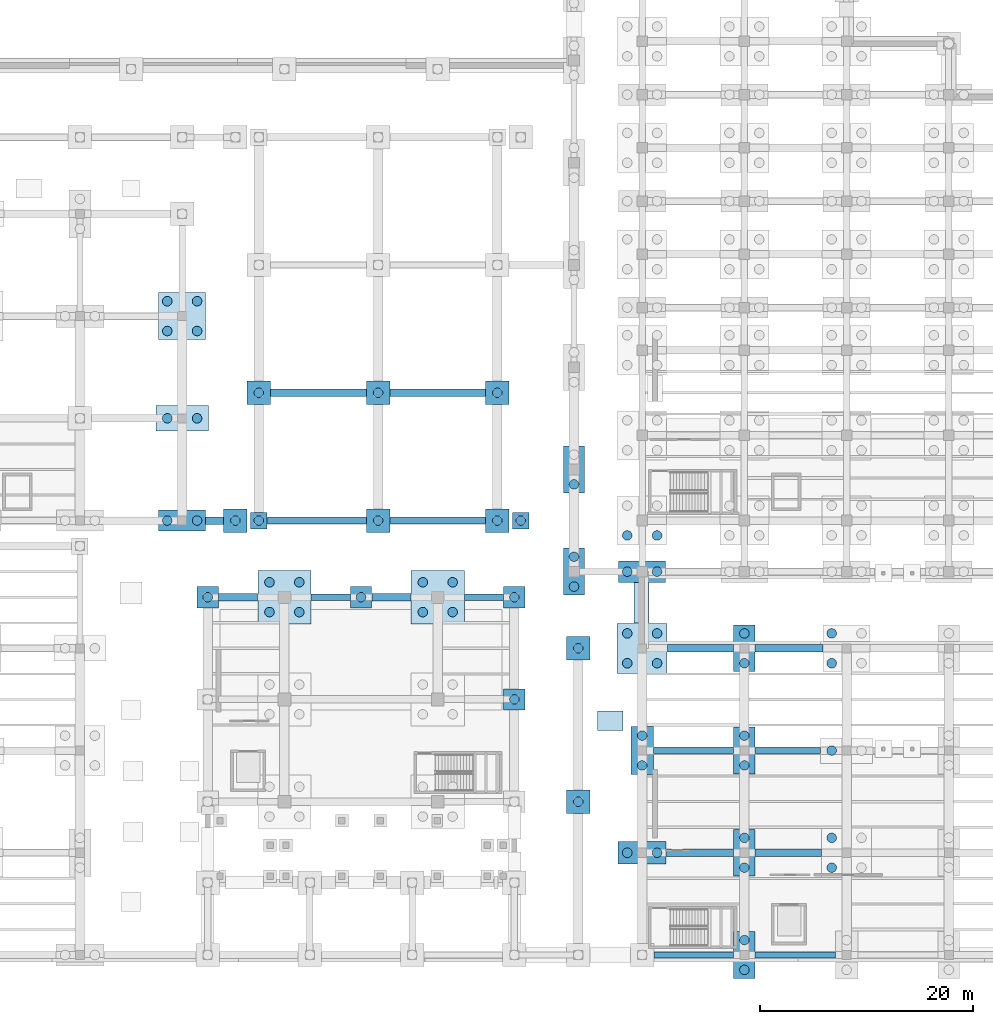
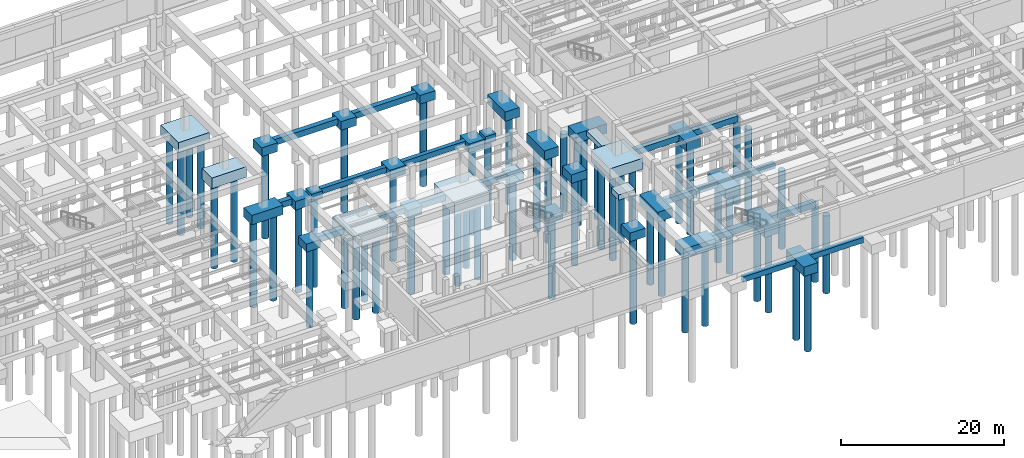
# One storey, part 4 of 56: 58 piles, 48 footings.
"""IFC4 building model written with IfcOpenShell, lengths in metres."""

import ifcopenshell
import ifcopenshell.guid

model = None  # the IFC model being written
_history = None  # IfcOwnerHistory: only IFC2X3 demands one
_inside = {}  # id of a spatial element -> (the spatial element, [elements in it])
_under = {}  # id of a project, library or spatial element -> (it, [spatial elements below it])
_declared = {}  # id of a project -> (the project, [libraries it declares])
_typed = {}  # id of a type object -> (the type object, [elements of that type])
_made_of = {}  # id of a material, layer set ... -> (it, [elements and type objects made of it])


def new_model(schema):
    """Start an empty IFC model of exactly this schema.

    Asked for "IFC4X3", IfcOpenShell would pick the latest addendum, in which some entities
    have other attributes; the version numbers below select the first issue.
    IFC2X3 requires an IfcOwnerHistory on every rooted entity: one is made here for all.
    """
    global model, _history
    if schema == "IFC4X3":
        model = ifcopenshell.file(schema_version=(4, 3, 0, 0))
    else:
        model = ifcopenshell.file(schema=schema)
    _inside.clear()
    _under.clear()
    _declared.clear()
    _typed.clear()
    _made_of.clear()
    _history = None
    if model.schema == "IFC2X3":
        org = make("IfcOrganization", Name="unknown")
        user = make(
            "IfcPersonAndOrganization",
            ThePerson=make("IfcPerson", FamilyName="unknown"),
            TheOrganization=org,
        )
        app = make(
            "IfcApplication",
            ApplicationDeveloper=org,
            Version="unknown",
            ApplicationFullName="unknown",
            ApplicationIdentifier="unknown",
        )
        _history = make(
            "IfcOwnerHistory",
            OwningUser=user,
            OwningApplication=app,
            ChangeAction="ADDED",
            CreationDate=0,
        )
    return model


def make(cls, **values):
    """One entity of the class cls with the attributes given. An attribute that is None is left unset."""
    return model.create_entity(
        cls, **{name: value for name, value in values.items() if value is not None}
    )


def rooted(cls, **values):
    """An entity with a GlobalId (a new one), such as an element, a storey or a relation."""
    return make(cls, GlobalId=ifcopenshell.guid.new(), OwnerHistory=_history, **values)


def si_unit(unit_type, name, prefix=None):
    """IfcSIUnit, for example si_unit("LENGTHUNIT", "METRE", prefix="MILLI")."""
    return make("IfcSIUnit", UnitType=unit_type, Prefix=prefix, Name=name)


def assignment(units):
    """IfcUnitAssignment: the units of a project."""
    return None if units is None else make("IfcUnitAssignment", Units=units)


def point(xyz):
    """IfcCartesianPoint."""
    return None if xyz is None else make("IfcCartesianPoint", Coordinates=xyz)


def direction(xyz):
    """IfcDirection."""
    return None if xyz is None else make("IfcDirection", DirectionRatios=xyz)


def frame(location, z_axis=None, x_axis=None):
    """IfcAxis2Placement3D, a coordinate frame: its origin and axes. An axis left out is left unset."""
    return make(
        "IfcAxis2Placement3D",
        Location=point(location),
        Axis=direction(z_axis),
        RefDirection=direction(x_axis),
    )


def frame_2d(location, x_axis=None):
    """IfcAxis2Placement2D, a coordinate frame in the plane: its origin and x axis."""
    return make(
        "IfcAxis2Placement2D", Location=point(location), RefDirection=direction(x_axis)
    )


def origin():
    """The frame at (0, 0, 0) with its axes left unset."""
    return frame((0.0, 0.0, 0.0))


def origin_2d():
    """The frame at (0, 0) in the plane with its x axis left unset."""
    return frame_2d((0.0, 0.0))


def place(relative_to, where):
    """IfcLocalPlacement: puts the frame where relative to a parent placement (None: the world)."""
    return make(
        "IfcLocalPlacement", PlacementRelTo=relative_to, RelativePlacement=where
    )


def context(
    kind, dimensions, precision=None, world=None, true_north=None, identifier=None
):
    """IfcGeometricRepresentationContext, for example the 3D "Model" context."""
    return make(
        "IfcGeometricRepresentationContext",
        ContextIdentifier=identifier,
        ContextType=kind,
        CoordinateSpaceDimension=dimensions,
        Precision=precision,
        WorldCoordinateSystem=world,
        TrueNorth=true_north,
    )


def subcontext(parent, identifier, kind, view, scale=None):
    """IfcGeometricRepresentationSubContext, for example "Body" below "Model"."""
    return make(
        "IfcGeometricRepresentationSubContext",
        ContextIdentifier=identifier,
        ContextType=kind,
        ParentContext=parent,
        TargetScale=scale,
        TargetView=view,
    )


def project(units=None, contexts=None):
    """IfcProject with its units and contexts."""
    return rooted(
        "IfcProject",
        Name="project",
        RepresentationContexts=contexts,
        UnitsInContext=assignment(units),
    )


def spatial(cls, under=None, at=None, **own):
    """A site, building, storey or space (cls), placed at a placement, below another one or the project."""
    s = rooted(cls, ObjectPlacement=at, **own)
    if under is not None:
        _under.setdefault(under.id(), (under, []))[1].append(s)
    return s


def profile(cls, at=None, kind="AREA", **sizes):
    """A parametric profile (cls). Its sizes go by their IFC names, for example OverallWidth=200.0."""
    return make(cls, ProfileType=kind, Position=at, **sizes)


def rectangle(**sizes):
    """IfcRectangleProfileDef."""
    return profile("IfcRectangleProfileDef", **sizes)


def circle(**sizes):
    """IfcCircleProfileDef."""
    return profile("IfcCircleProfileDef", **sizes)


def extrude(swept, where, along, depth):
    """IfcExtrudedAreaSolid: the profile swept, set in the frame where, extruded along a direction by depth."""
    return make(
        "IfcExtrudedAreaSolid",
        SweptArea=swept,
        Position=where,
        ExtrudedDirection=direction(along),
        Depth=depth,
    )


def shape(context_of_items, identifier, shape_type, items):
    """IfcShapeRepresentation: the items that make up one representation, for example the "Body"."""
    return make(
        "IfcShapeRepresentation",
        ContextOfItems=context_of_items,
        RepresentationIdentifier=identifier,
        RepresentationType=shape_type,
        Items=items,
    )


def material(Name=None, Category=None):
    """IfcMaterial."""
    return make("IfcMaterial", Name=Name, Category=Category)


def material_profile(
    of_material, cross_section, Name=None, Category=None, Priority=None
):
    """IfcMaterialProfile: a cross section and its material."""
    return make(
        "IfcMaterialProfile",
        Name=Name,
        Material=of_material,
        Profile=cross_section,
        Priority=Priority,
        Category=Category,
    )


def profile_set(profiles, Name=None, composite=None):
    """IfcMaterialProfileSet."""
    return make(
        "IfcMaterialProfileSet",
        Name=Name,
        MaterialProfiles=profiles,
        CompositeProfile=composite,
    )


def made_of(thing, what):
    """Note that an element or type object is made of a material, layer set ...; save() writes the relation."""
    if what is not None:
        _made_of.setdefault(what.id(), (what, []))[1].append(thing)
    return thing


def type_object(cls, material=None, **own):
    """A type object (cls), such as IfcWallType, which elements share."""
    return made_of(rooted(cls, **own), material)


def element(
    cls,
    number,
    at=None,
    inside=None,
    cuts=None,
    type_object=None,
    material=None,
    context=None,
    identifier="Body",
    shape_type=None,
    held_by="IfcProductDefinitionShape",
    body=None,
    shapes=None,
    **own,
):
    """One element of the class cls, such as IfcWall. Its Tag is "e" and its number.

    at: its placement. inside: the storey or other place that contains it. cuts: it is an
    opening in that element (IfcRelVoidsElement). A single representation is given by context,
    identifier, shape_type and body (its items); several are given by shapes. held_by: the class
    of the entity that holds the representations. save() writes the other relations.
    """
    e = rooted(cls, Tag="e%d" % number, ObjectPlacement=at, **own)
    if body is not None:
        shapes = [shape(context, identifier, shape_type, body)]
    if shapes is not None:
        e.Representation = make(held_by, Representations=shapes)
    if inside is not None:
        _inside.setdefault(inside.id(), (inside, []))[1].append(e)
    if cuts is not None:
        rooted(
            "IfcRelVoidsElement", RelatingBuildingElement=cuts, RelatedOpeningElement=e
        )
    if type_object is not None:
        _typed.setdefault(type_object.id(), (type_object, []))[1].append(e)
    return made_of(e, material)


def aggregate(whole, parts):
    """IfcRelAggregates: a whole, such as a stair, and the parts it consists of."""
    return rooted("IfcRelAggregates", RelatingObject=whole, RelatedObjects=parts)


def save(model, path):
    """Write the relations noted so far, then the file.

    IfcRelAggregates (storeys below a building ...), IfcRelContainedInSpatialStructure (elements
    in a storey), IfcRelDefinesByType, IfcRelAssociatesMaterial and IfcRelDeclares: one each for
    every whole, place, type object, material and project.
    """
    for whole, parts in _under.values():
        aggregate(whole, parts)
    for where, things in _inside.values():
        rooted(
            "IfcRelContainedInSpatialStructure",
            RelatedElements=things,
            RelatingStructure=where,
        )
    for kind, things in _typed.values():
        rooted("IfcRelDefinesByType", RelatedObjects=things, RelatingType=kind)
    for what, things in _made_of.values():
        rooted("IfcRelAssociatesMaterial", RelatedObjects=things, RelatingMaterial=what)
    for by, libraries in _declared.values():
        rooted("IfcRelDeclares", RelatingContext=by, RelatedDefinitions=libraries)
    model.write(path)


model = new_model("IFC4")

# Units and contexts
model_context = context("Model", 3, precision=1e-05, world=origin(), true_north=direction((0.0, 1.0)))
body_context = subcontext(model_context, "Body", "Model", "MODEL_VIEW")
ifc_project = project(units=[si_unit("LENGTHUNIT", "METRE"), si_unit("AREAUNIT", "SQUARE_METRE"), si_unit("VOLUMEUNIT", "CUBIC_METRE"), si_unit("PLANEANGLEUNIT", "RADIAN"), si_unit("MASSUNIT", "GRAM", prefix="KILO")], contexts=[model_context])

# Site, building, storey
site_placement = place(None, origin())
site = spatial("IfcSite", under=ifc_project, at=site_placement, CompositionType="ELEMENT")
building_placement = place(site_placement, origin())
building = spatial("IfcBuilding", under=site, at=building_placement, Name="Mavantir Sound Aquarium", CompositionType="ELEMENT")
storey_placement = place(building_placement, frame((0.0, 0.0, -9.60009765625)))
storey = spatial("IfcBuildingStorey", under=building, at=storey_placement, Name="B2", CompositionType="ELEMENT", Elevation=-9.60009765625)

# Footings
ifc_material_1 = material(Name="Concrete C40/50", Category="concrete")
ifc_material_profile_1 = material_profile(ifc_material_1, rectangle(XDim=0.60009765625, YDim=0.800048828125, at=origin_2d()), Name="RC 600X800")
ifc_profile_set_1 = profile_set([ifc_material_profile_1], Name="Concrete C40/50")
footing_type_1 = type_object("IfcFootingType", Name="FB-01", PredefinedType="FOOTING_BEAM", material=ifc_profile_set_1)
footing_1_placement = place(storey_placement, frame((72.782958984375, 40.800048828125, -0.39990234375), z_axis=(1.0, 0.0, 0.0), x_axis=(0.0, 1.0, 0.0)))
element("IfcFooting", 1, at=footing_1_placement, inside=storey, type_object=footing_type_1, Name="Foundation tie beam FB-01 63", PredefinedType="FOOTING_BEAM", context=body_context, shape_type="SweptSolid", body=[
    extrude(rectangle(XDim=0.60009765625, YDim=0.800048828125, at=origin_2d()), origin(), (0.0, 0.0, 1.0), 9.317138671875),
])
footing_2_placement = place(storey_placement, frame((76.907958984375, 33.60009765625, -1.599853515625), z_axis=(1.0, 0.0, 0.0), x_axis=(0.0, 1.0, 0.0)))
element("IfcFooting", 2, at=footing_2_placement, inside=storey, type_object=footing_type_1, Name="Foundation tie beam FB-01 67", PredefinedType="FOOTING_BEAM", context=body_context, shape_type="SweptSolid", body=[
    extrude(rectangle(XDim=0.60009765625, YDim=0.800048828125, at=origin_2d()), origin(), (0.0, 0.0, 1.0), 3.68408203125),
])
footing_3_placement = place(storey_placement, frame((84.30810546875, 40.800048828125, -0.39990234375), z_axis=(1.0, 0.0, 0.0), x_axis=(0.0, 1.0, 0.0)))
element("IfcFooting", 3, at=footing_3_placement, inside=storey, type_object=footing_type_1, Name="Foundation tie beam FB-01 71", PredefinedType="FOOTING_BEAM", context=body_context, shape_type="SweptSolid", body=[
    extrude(rectangle(XDim=0.60009765625, YDim=0.800048828125, at=origin_2d()), origin(), (0.0, 0.0, 1.0), 8.991943359375),
])
footing_4_placement = place(storey_placement, frame((91.30810546875, 33.60009765625, -1.599853515625), z_axis=(1.0, 0.0, 0.0), x_axis=(0.0, 1.0, 0.0)))
element("IfcFooting", 4, at=footing_4_placement, inside=storey, type_object=footing_type_1, Name="Foundation tie beam FB-01 79", PredefinedType="FOOTING_BEAM", context=body_context, shape_type="SweptSolid", body=[
    extrude(rectangle(XDim=0.60009765625, YDim=0.800048828125, at=origin_2d()), origin(), (0.0, 0.0, 1.0), 3.683837890625),
])
footing_5_placement = place(storey_placement, frame((109.10791015625, 0.0, -1.599853515625), z_axis=(1.0, 0.0, 0.0), x_axis=(0.0, 1.0, 0.0)))
element("IfcFooting", 5, at=footing_5_placement, inside=storey, type_object=footing_type_1, Name="Foundation tie beam FB-01 81", PredefinedType="FOOTING_BEAM", context=body_context, shape_type="SweptSolid", body=[
    extrude(rectangle(XDim=0.60009765625, YDim=0.800048828125, at=origin_2d()), origin(), (0.0, 0.0, 1.0), 7.484130859375),
])
footing_6_placement = place(storey_placement, frame((109.05810546875, 19.199951171875, -1.599853515625), z_axis=(1.0, 0.0, 0.0), x_axis=(0.0, 1.0, 0.0)))
element("IfcFooting", 6, at=footing_6_placement, inside=storey, type_object=footing_type_1, Name="Foundation tie beam FB-01 83", PredefinedType="FOOTING_BEAM", context=body_context, shape_type="SweptSolid", body=[
    extrude(rectangle(XDim=0.60009765625, YDim=0.800048828125, at=origin_2d()), origin(), (0.0, 0.0, 1.0), 7.533935546875),
])
footing_7_placement = place(storey_placement, frame((118.60791015625, 0.0, -1.599853515625), z_axis=(1.0, 0.0, 0.0), x_axis=(0.0, 1.0, 0.0)))
element("IfcFooting", 7, at=footing_7_placement, inside=storey, type_object=footing_type_1, Name="Foundation tie beam FB-01 97", PredefinedType="FOOTING_BEAM", context=body_context, shape_type="SweptSolid", body=[
    extrude(rectangle(XDim=0.60009765625, YDim=0.800048828125, at=origin_2d()), origin(), (0.0, 0.0, 1.0), 7.5341796875),
])
footing_8_placement = place(storey_placement, frame((118.60791015625, 19.199951171875, -1.599853515625), z_axis=(1.0, 0.0, 0.0), x_axis=(0.0, 1.0, 0.0)))
element("IfcFooting", 8, at=footing_8_placement, inside=storey, type_object=footing_type_1, Name="Foundation tie beam FB-01 99", PredefinedType="FOOTING_BEAM", context=body_context, shape_type="SweptSolid", body=[
    extrude(rectangle(XDim=0.60009765625, YDim=0.800048828125, at=origin_2d()), origin(), (0.0, 0.0, 1.0), 6.134033203125),
])
ifc_material_profile_2 = material_profile(ifc_material_1, rectangle(XDim=0.699951171875, YDim=0.89990234375, at=origin_2d()), Name="RC 700X900")
ifc_profile_set_2 = profile_set([ifc_material_profile_2], Name="Concrete C40/50")
footing_type_2 = type_object("IfcFootingType", Name="FB-02", PredefinedType="FOOTING_BEAM", material=ifc_profile_set_2)
footing_9_placement = place(storey_placement, frame((67.008056640625, 40.800048828125, -0.449951171875), z_axis=(1.0, 0.0, 0.0), x_axis=(0.0, 1.0, 0.0)))
element("IfcFooting", 9, at=footing_9_placement, inside=storey, type_object=footing_type_2, Name="Foundation tie beam FB-02 56", PredefinedType="FOOTING_BEAM", context=body_context, shape_type="SweptSolid", body=[
    extrude(rectangle(XDim=0.699951171875, YDim=0.89990234375, at=origin_2d()), origin(), (0.0, 0.0, 1.0), 1.683837890625),
])
footing_10_placement = place(storey_placement, frame((68.2080078125, 33.60009765625, -1.64990234375), z_axis=(1.0, 0.0, 0.0), x_axis=(0.0, 1.0, 0.0)))
element("IfcFooting", 10, at=footing_10_placement, inside=storey, type_object=footing_type_2, Name="Foundation tie beam FB-02 62", PredefinedType="FOOTING_BEAM", context=body_context, shape_type="SweptSolid", body=[
    extrude(rectangle(XDim=0.699951171875, YDim=0.89990234375, at=origin_2d()), origin(), (0.0, 0.0, 1.0), 3.68408203125),
])
footing_11_placement = place(storey_placement, frame((73.10791015625, 52.800048828125, -0.449951171875), z_axis=(1.0, 0.0, 0.0), x_axis=(0.0, 1.0, 0.0)))
element("IfcFooting", 11, at=footing_11_placement, inside=storey, type_object=footing_type_2, Name="Foundation tie beam FB-02 64", PredefinedType="FOOTING_BEAM", context=body_context, shape_type="SweptSolid", body=[
    extrude(rectangle(XDim=0.699951171875, YDim=0.89990234375, at=origin_2d()), origin(), (0.0, 0.0, 1.0), 8.9921875),
])
footing_12_placement = place(storey_placement, frame((82.60791015625, 33.60009765625, -1.64990234375), z_axis=(1.0, 0.0, 0.0), x_axis=(0.0, 1.0, 0.0)))
element("IfcFooting", 12, at=footing_12_placement, inside=storey, type_object=footing_type_2, Name="Foundation tie beam FB-02 70", PredefinedType="FOOTING_BEAM", context=body_context, shape_type="SweptSolid", body=[
    extrude(rectangle(XDim=0.699951171875, YDim=0.89990234375, at=origin_2d()), origin(), (0.0, 0.0, 1.0), 3.68408203125),
])
footing_13_placement = place(storey_placement, frame((84.30810546875, 52.800048828125, -0.449951171875), z_axis=(1.0, 0.0, 0.0), x_axis=(0.0, 1.0, 0.0)))
element("IfcFooting", 13, at=footing_13_placement, inside=storey, type_object=footing_type_2, Name="Foundation tie beam FB-02 72", PredefinedType="FOOTING_BEAM", context=body_context, shape_type="SweptSolid", body=[
    extrude(rectangle(XDim=0.699951171875, YDim=0.89990234375, at=origin_2d()), origin(), (0.0, 0.0, 1.0), 8.991943359375),
])
footing_14_placement = place(storey_placement, frame((110.258056640625, 9.60009765625, -1.64990234375), z_axis=(1.0, 0.0, 0.0), x_axis=(0.0, 1.0, 0.0)))
element("IfcFooting", 14, at=footing_14_placement, inside=storey, type_object=footing_type_2, Name="Foundation tie beam FB-02 82", PredefinedType="FOOTING_BEAM", context=body_context, shape_type="SweptSolid", body=[
    extrude(rectangle(XDim=0.699951171875, YDim=0.89990234375, at=origin_2d()), origin(), (0.0, 0.0, 1.0), 6.333984375),
])
footing_15_placement = place(storey_placement, frame((110.35791015625, 28.800048828125, -0.449951171875), z_axis=(1.0, 0.0, 0.0), x_axis=(0.0, 1.0, 0.0)))
element("IfcFooting", 15, at=footing_15_placement, inside=storey, type_object=footing_type_2, Name="Foundation tie beam FB-02 84", PredefinedType="FOOTING_BEAM", context=body_context, shape_type="SweptSolid", body=[
    extrude(rectangle(XDim=0.699951171875, YDim=0.89990234375, at=origin_2d()), origin(), (0.0, 0.0, 1.0), 6.234130859375),
])
footing_16_placement = place(storey_placement, frame((118.60791015625, 9.60009765625, -1.64990234375), z_axis=(1.0, 0.0, 0.0), x_axis=(0.0, 1.0, 0.0)))
element("IfcFooting", 16, at=footing_16_placement, inside=storey, type_object=footing_type_2, Name="Foundation tie beam FB-02 98", PredefinedType="FOOTING_BEAM", context=body_context, shape_type="SweptSolid", body=[
    extrude(rectangle(XDim=0.699951171875, YDim=0.89990234375, at=origin_2d()), origin(), (0.0, 0.0, 1.0), 6.2421875),
])
footing_17_placement = place(storey_placement, frame((118.60791015625, 28.800048828125, -0.449951171875), z_axis=(1.0, 0.0, 0.0), x_axis=(0.0, 1.0, 0.0)))
element("IfcFooting", 17, at=footing_17_placement, inside=storey, type_object=footing_type_2, Name="Foundation tie beam FB-02 100", PredefinedType="FOOTING_BEAM", context=body_context, shape_type="SweptSolid", body=[
    extrude(rectangle(XDim=0.699951171875, YDim=0.89990234375, at=origin_2d()), origin(), (0.0, 0.0, 1.0), 6.384033203125),
])
footing_type_3 = type_object("IfcFootingType", Name="PC-02", PredefinedType="PILE_CAP", material=ifc_material_1)
footing_18_placement = place(storey_placement, frame((64.800048828125, 60.0, -1.5), z_axis=(0.0, 0.0, 1.0), x_axis=(1.0, 0.0, 0.0)))
element("IfcFooting", 18, at=footing_18_placement, inside=storey, type_object=footing_type_3, Name="Pile cap PC-02 15", PredefinedType="PILE_CAP", context=body_context, shape_type="SweptSolid", body=[
    extrude(rectangle(XDim=4.39990234375, YDim=4.39990234375, at=origin_2d()), origin(), (0.0, 0.0, 1.0), 1.5),
])
footing_type_4 = type_object("IfcFootingType", Name="PC-03", PredefinedType="PILE_CAP", material=ifc_material_1)
for number, where, z_axis, x_axis, name in (
    (19, (64.800048828125, 40.800048828125, -1.39990234375), (0.0, 0.0, 1.0), (1.0, 0.0, 0.0), "Pile cap PC-03 13"),
    (20, (108.0, 36.0, -1.39990234375), (0.0, 0.0, 1.0), (1.0, 0.0, 0.0), "Pile cap PC-03 58"),
):
    element("IfcFooting", number, at=place(storey_placement, frame(where, z_axis=z_axis, x_axis=x_axis)), inside=storey, type_object=footing_type_4, Name=name, PredefinedType="PILE_CAP", context=body_context, shape_type="SweptSolid", body=[
        extrude(rectangle(XDim=4.39990234375, YDim=2.0, at=origin_2d()), origin(), (0.0, 0.0, 1.0), 1.39990234375),
    ])
footing_type_5 = type_object("IfcFootingType", Name="PC-04", PredefinedType="PILE_CAP", material=ifc_material_1)
for number, where, z_axis, x_axis, name in (
    (21, (101.60009765625, 36.0, -1.39990234375), (0.0, 0.0, 1.0), (1.0, 0.0, 0.0), "Pile cap PC-04 50"),
    (22, (101.60009765625, 45.60009765625, -1.39990234375), (0.0, 0.0, 1.0), (1.0, 0.0, 0.0), "Pile cap PC-04 51"),
    (23, (117.60009765625, 0.0, -2.599853515625), (0.0, 0.0, 1.0), (1.0, 0.0, 0.0), "Pile cap PC-04 162"),
    (24, (117.60009765625, 9.60009765625, -2.599853515625), (0.0, 0.0, 1.0), (1.0, 0.0, 0.0), "Pile cap PC-04 163"),
    (25, (117.60009765625, 19.199951171875, -2.599853515625), (0.0, 0.0, 1.0), (1.0, 0.0, 0.0), "Pile cap PC-04 164"),
    (26, (117.60009765625, 28.800048828125, -1.39990234375), (0.0, 0.0, 1.0), (1.0, 0.0, 0.0), "Pile cap PC-04 165"),
):
    element("IfcFooting", number, at=place(storey_placement, frame(where, z_axis=z_axis, x_axis=x_axis)), inside=storey, type_object=footing_type_5, Name=name, PredefinedType="PILE_CAP", context=body_context, shape_type="SweptSolid", body=[
        extrude(rectangle(XDim=2.0, YDim=4.39990234375, at=origin_2d()), origin(), (0.0, 0.0, 1.0), 1.39990234375),
    ])
footing_type_6 = type_object("IfcFootingType", Name="PC-06", PredefinedType="PILE_CAP", material=ifc_material_1)
for number, where, z_axis, x_axis, name in (
    (27, (74.39990234375, 33.60009765625, -3.0), (0.0, 0.0, 1.0), (1.0, 0.0, 0.0), "Pile cap PC-06 195"),
    (28, (88.800048828125, 33.60009765625, -3.0), (0.0, 0.0, 1.0), (1.0, 0.0, 0.0), "Pile cap PC-06 199"),
):
    element("IfcFooting", number, at=place(storey_placement, frame(where, z_axis=z_axis, x_axis=x_axis)), inside=storey, type_object=footing_type_6, Name=name, PredefinedType="PILE_CAP", context=body_context, shape_type="SweptSolid", body=[
        extrude(rectangle(XDim=5.0, YDim=5.0, at=origin_2d()), origin(), (0.0, 0.0, 1.0), 1.800048828125),
    ])
footing_type_7 = type_object("IfcFootingType", Name="PC-07", PredefinedType="PILE_CAP", material=ifc_material_1)
for number, where, z_axis, x_axis, name in (
    (29, (67.199951171875, 33.60009765625, -2.39990234375), (0.0, 0.0, 1.0), (1.0, 0.0, 0.0), "Pile cap PC-07 192"),
    (30, (81.60009765625, 33.60009765625, -2.39990234375), (0.0, 0.0, 1.0), (1.0, 0.0, 0.0), "Pile cap PC-07 196"),
    (31, (96.0, 24.0, -2.39990234375), (0.0, 0.0, 1.0), (1.0, 0.0, 0.0), "Pile cap PC-07 201"),
    (32, (96.0, 33.60009765625, -2.39990234375), (0.0, 0.0, 1.0), (1.0, 0.0, 0.0), "Pile cap PC-07 202"),
):
    element("IfcFooting", number, at=place(storey_placement, frame(where, z_axis=z_axis, x_axis=x_axis)), inside=storey, type_object=footing_type_7, Name=name, PredefinedType="PILE_CAP", context=body_context, shape_type="SweptSolid", body=[
        extrude(rectangle(XDim=2.0, YDim=2.0, at=origin_2d()), origin(), (0.0, 0.0, 1.0), 1.199951171875),
    ])
footing_type_8 = type_object("IfcFootingType", Name="PC-08", PredefinedType="PILE_CAP", material=ifc_material_1)
for number, where, z_axis, x_axis, name in (
    (33, (102.0, 14.39990234375, -1.2998046875), (0.0, 0.0, 1.0), (1.0, 0.0, 0.0), "Pile cap PC-08 212"),
    (34, (102.0, 28.800048828125, -1.2998046875), (0.0, 0.0, 1.0), (1.0, 0.0, 0.0), "Pile cap PC-08 213"),
    (35, (69.800048828125, 40.800048828125, -1.2998046875), (0.0, 0.0, 1.0), (1.0, 0.0, 0.0), "Pile cap PC-08 214"),
    (36, (83.199951171875, 40.800048828125, -1.2998046875), (0.0, 0.0, 1.0), (1.0, 0.0, 0.0), "Pile cap PC-08 216"),
    (37, (94.39990234375, 40.800048828125, -1.2998046875), (0.0, 0.0, 1.0), (1.0, 0.0, 0.0), "Pile cap PC-08 217"),
    (38, (72.0, 52.800048828125, -1.2998046875), (0.0, 0.0, 1.0), (1.0, 0.0, 0.0), "Pile cap PC-08 221"),
    (39, (83.199951171875, 52.800048828125, -1.2998046875), (0.0, 0.0, 1.0), (1.0, 0.0, 0.0), "Pile cap PC-08 222"),
    (40, (94.39990234375, 52.800048828125, -1.2998046875), (0.0, 0.0, 1.0), (1.0, 0.0, 0.0), "Pile cap PC-08 223"),
):
    element("IfcFooting", number, at=place(storey_placement, frame(where, z_axis=z_axis, x_axis=x_axis)), inside=storey, type_object=footing_type_8, Name=name, PredefinedType="PILE_CAP", context=body_context, shape_type="SweptSolid", body=[
        extrude(rectangle(XDim=2.199951171875, YDim=2.199951171875, at=origin_2d()), origin(), (0.0, 0.0, 1.0), 1.300048828125),
    ])
footing_type_9 = type_object("IfcFootingType", Name="PC-09", PredefinedType="PILE_CAP", material=ifc_material_1)
footing_19_placement = place(storey_placement, frame((108.0, 9.60009765625, -2.64990234375), z_axis=(0.0, 0.0, 1.0), x_axis=(1.0, 0.0, 0.0)))
element("IfcFooting", 41, at=footing_19_placement, inside=storey, type_object=footing_type_9, Name="Pile cap PC-09 159", PredefinedType="PILE_CAP", context=body_context, shape_type="SweptSolid", body=[
    extrude(rectangle(XDim=4.5, YDim=2.10009765625, at=origin_2d()), origin(), (0.0, 0.0, 1.0), 1.449951171875),
])
footing_type_10 = type_object("IfcFootingType", Name="PC-10", PredefinedType="PILE_CAP", material=ifc_material_1)
footing_20_placement = place(storey_placement, frame((108.0, 19.199951171875, -2.64990234375), z_axis=(0.0, 0.0, 1.0), x_axis=(1.0, 0.0, 0.0)))
element("IfcFooting", 42, at=footing_20_placement, inside=storey, type_object=footing_type_10, Name="Pile cap PC-10 160", PredefinedType="PILE_CAP", context=body_context, shape_type="SweptSolid", body=[
    extrude(rectangle(XDim=2.10009765625, YDim=4.5, at=origin_2d()), origin(), (0.0, 0.0, 1.0), 1.449951171875),
])
footing_type_11 = type_object("IfcFootingType", Name="PC-11", PredefinedType="PILE_CAP", material=ifc_material_1)
footing_21_placement = place(storey_placement, frame((108.0, 28.800048828125, -1.64990234375), z_axis=(0.0, 0.0, 1.0), x_axis=(1.0, 0.0, 0.0)))
element("IfcFooting", 43, at=footing_21_placement, inside=storey, type_object=footing_type_11, Name="Pile cap PC-11 161", PredefinedType="PILE_CAP", context=body_context, shape_type="SweptSolid", body=[
    extrude(rectangle(XDim=4.699951171875, YDim=4.699951171875, at=origin_2d()), origin(), (0.0, 0.0, 1.0), 1.64990234375),
])
ifc_material_2 = material(Name="Concrete C45/55", Category="concrete")
footing_type_12 = type_object("IfcFootingType", Name="PC-12", PredefinedType="PILE_CAP", material=ifc_material_2)
footing_22_placement = place(storey_placement, frame((64.800048828125, 50.39990234375, -1.599853515625), z_axis=(0.0, 0.0, 1.0), x_axis=(1.0, 0.0, 0.0)))
element("IfcFooting", 44, at=footing_22_placement, inside=storey, type_object=footing_type_12, Name="Pile cap PC-12 14", PredefinedType="PILE_CAP", context=body_context, shape_type="SweptSolid", body=[
    extrude(rectangle(XDim=4.89990234375, YDim=2.39990234375, at=origin_2d()), origin(), (0.0, 0.0, 1.0), 1.60009765625),
])
footing_type_13 = type_object("IfcFootingType", Name="PC-13", PredefinedType="PILE_CAP", material=ifc_material_1)
for number, where, z_axis, x_axis, name in (
    (45, (72.0, 40.800048828125, -1.099853515625), (0.0, 0.0, 1.0), (1.0, 0.0, 0.0), "Pile cap PC-13 215"),
    (46, (96.60009765625, 40.800048828125, -1.099853515625), (0.0, 0.0, 1.0), (1.0, 0.0, 0.0), "Pile cap PC-13 218"),
):
    element("IfcFooting", number, at=place(storey_placement, frame(where, z_axis=z_axis, x_axis=x_axis)), inside=storey, type_object=footing_type_13, Name=name, PredefinedType="PILE_CAP", context=body_context, shape_type="SweptSolid", body=[
        extrude(rectangle(XDim=1.550048828125, YDim=1.550048828125, at=origin_2d()), origin(), (0.0, 0.0, 1.0), 1.10009765625),
    ])
footing_type_14 = type_object("IfcFootingType", Name="PF-03", PredefinedType="PAD_FOOTING", material=ifc_material_1)
footing_23_placement = place(storey_placement, frame((105.0, 22.0, -0.7998046875), z_axis=(0.0, 0.0, 1.0), x_axis=(1.0, 0.0, 0.0)))
element("IfcFooting", 47, at=footing_23_placement, inside=storey, type_object=footing_type_14, Name="Pad footing PF-03 4", PredefinedType="PAD_FOOTING", context=body_context, shape_type="SweptSolid", body=[
    extrude(rectangle(XDim=2.39990234375, YDim=1.800048828125, at=origin_2d()), origin(), (0.0, 0.0, 1.0), 0.800048828125),
])

# Piles
ifc_material_profile_3 = material_profile(ifc_material_1, circle(Radius=0.449951171875, at=origin_2d()), Name="PILE D900")
ifc_profile_set_3 = profile_set([ifc_material_profile_3], Name="Concrete C40/50")
pile_type = type_object("IfcPileType", Name="PILE-D900", PredefinedType="BORED", material=ifc_profile_set_3)
for number, where, z_axis, x_axis, name in (
    (48, (63.39990234375, 40.800048828125, -1.2998046875), (0.0, 0.0, -1.0), (1.0, 0.0, 0.0), "Bored pile P-900 115"),
    (49, (66.199951171875, 40.800048828125, -1.2998046875), (0.0, 0.0, -1.0), (1.0, 0.0, 0.0), "Bored pile P-900 116"),
):
    element("IfcPile", number, at=place(storey_placement, frame(where, z_axis=z_axis, x_axis=x_axis)), inside=storey, type_object=pile_type, Name=name, PredefinedType="BORED", context=body_context, shape_type="SweptSolid", body=[
        extrude(circle(Radius=0.449951171875, at=origin_2d()), origin(), (0.0, 0.0, 1.0), 13.10009765625),
    ])
for number, where, z_axis, x_axis, name in (
    (50, (63.39990234375, 50.39990234375, -1.5), (0.0, 0.0, -1.0), (1.0, 0.0, 0.0), "Bored pile P-900 117"),
    (51, (66.199951171875, 50.39990234375, -1.5), (0.0, 0.0, -1.0), (1.0, 0.0, 0.0), "Bored pile P-900 118"),
):
    element("IfcPile", number, at=place(storey_placement, frame(where, z_axis=z_axis, x_axis=x_axis)), inside=storey, type_object=pile_type, Name=name, PredefinedType="BORED", context=body_context, shape_type="SweptSolid", body=[
        extrude(circle(Radius=0.449951171875, at=origin_2d()), origin(), (0.0, 0.0, 1.0), 12.89990234375),
    ])
for number, where, z_axis, x_axis, name in (
    (52, (63.39990234375, 58.60009765625, -1.39990234375), (0.0, 0.0, -1.0), (1.0, 0.0, 0.0), "Bored pile P-900 119"),
    (53, (66.199951171875, 58.60009765625, -1.39990234375), (0.0, 0.0, -1.0), (1.0, 0.0, 0.0), "Bored pile P-900 120"),
    (54, (63.39990234375, 61.39990234375, -1.39990234375), (0.0, 0.0, -1.0), (1.0, 0.0, 0.0), "Bored pile P-900 121"),
    (55, (66.199951171875, 61.39990234375, -1.39990234375), (0.0, 0.0, -1.0), (1.0, 0.0, 0.0), "Bored pile P-900 122"),
):
    element("IfcPile", number, at=place(storey_placement, frame(where, z_axis=z_axis, x_axis=x_axis)), inside=storey, type_object=pile_type, Name=name, PredefinedType="BORED", context=body_context, shape_type="SweptSolid", body=[
        extrude(circle(Radius=0.449951171875, at=origin_2d()), origin(), (0.0, 0.0, 1.0), 13.0),
    ])
for number, where, z_axis, x_axis, name in (
    (56, (101.60009765625, 34.60009765625, -1.2998046875), (0.0, 0.0, -1.0), (1.0, 0.0, 0.0), "Bored pile P-900 209"),
    (57, (101.60009765625, 37.39990234375, -1.2998046875), (0.0, 0.0, -1.0), (1.0, 0.0, 0.0), "Bored pile P-900 210"),
    (58, (101.60009765625, 44.199951171875, -1.2998046875), (0.0, 0.0, -1.0), (1.0, 0.0, 0.0), "Bored pile P-900 211"),
    (59, (106.60009765625, 36.0, -1.2998046875), (0.0, 0.0, -1.0), (1.0, 0.0, 0.0), "Bored pile P-900 225"),
    (60, (109.39990234375, 36.0, -1.2998046875), (0.0, 0.0, -1.0), (1.0, 0.0, 0.0), "Bored pile P-900 226"),
):
    element("IfcPile", number, at=place(storey_placement, frame(where, z_axis=z_axis, x_axis=x_axis)), inside=storey, type_object=pile_type, Name=name, PredefinedType="BORED", context=body_context, shape_type="SweptSolid", body=[
        extrude(circle(Radius=0.449951171875, at=origin_2d()), origin(), (0.0, 0.0, 1.0), 13.10009765625),
    ])
for number, where, z_axis, x_axis, name in (
    (61, (106.60009765625, 39.39990234375, -2.699951171875), (0.0, 0.0, -1.0), (1.0, 0.0, 0.0), "Bored pile P-900 227"),
    (62, (109.39990234375, 39.39990234375, -2.699951171875), (0.0, 0.0, -1.0), (1.0, 0.0, 0.0), "Bored pile P-900 228"),
):
    element("IfcPile", number, at=place(storey_placement, frame(where, z_axis=z_axis, x_axis=x_axis)), inside=storey, type_object=pile_type, Name=name, PredefinedType="BORED", context=body_context, shape_type="SweptSolid", body=[
        extrude(circle(Radius=0.449951171875, at=origin_2d()), origin(), (0.0, 0.0, 1.0), 11.699951171875),
    ])
for number, where, z_axis, x_axis, name in (
    (63, (106.60009765625, 9.60009765625, -2.5498046875), (0.0, 0.0, -1.0), (1.0, 0.0, 0.0), "Bored pile P-900 526"),
    (64, (109.39990234375, 9.60009765625, -2.5498046875), (0.0, 0.0, -1.0), (1.0, 0.0, 0.0), "Bored pile P-900 527"),
    (65, (108.0, 17.800048828125, -2.5498046875), (0.0, 0.0, -1.0), (1.0, 0.0, 0.0), "Bored pile P-900 528"),
    (66, (108.0, 20.60009765625, -2.5498046875), (0.0, 0.0, -1.0), (1.0, 0.0, 0.0), "Bored pile P-900 529"),
):
    element("IfcPile", number, at=place(storey_placement, frame(where, z_axis=z_axis, x_axis=x_axis)), inside=storey, type_object=pile_type, Name=name, PredefinedType="BORED", context=body_context, shape_type="SweptSolid", body=[
        extrude(circle(Radius=0.449951171875, at=origin_2d()), origin(), (0.0, 0.0, 1.0), 11.85009765625),
    ])
for number, where, z_axis, x_axis, name in (
    (67, (106.60009765625, 27.39990234375, -1.5498046875), (0.0, 0.0, -1.0), (1.0, 0.0, 0.0), "Bored pile P-900 530"),
    (68, (109.39990234375, 27.39990234375, -1.5498046875), (0.0, 0.0, -1.0), (1.0, 0.0, 0.0), "Bored pile P-900 531"),
    (69, (106.60009765625, 30.199951171875, -1.5498046875), (0.0, 0.0, -1.0), (1.0, 0.0, 0.0), "Bored pile P-900 532"),
    (70, (109.39990234375, 30.199951171875, -1.5498046875), (0.0, 0.0, -1.0), (1.0, 0.0, 0.0), "Bored pile P-900 533"),
):
    element("IfcPile", number, at=place(storey_placement, frame(where, z_axis=z_axis, x_axis=x_axis)), inside=storey, type_object=pile_type, Name=name, PredefinedType="BORED", context=body_context, shape_type="SweptSolid", body=[
        extrude(circle(Radius=0.449951171875, at=origin_2d()), origin(), (0.0, 0.0, 1.0), 12.85009765625),
    ])
for number, where, z_axis, x_axis, name in (
    (71, (117.60009765625, -1.39990234375, -2.5), (0.0, 0.0, -1.0), (1.0, 0.0, 0.0), "Bored pile P-900 534"),
    (72, (117.60009765625, 1.39990234375, -2.5), (0.0, 0.0, -1.0), (1.0, 0.0, 0.0), "Bored pile P-900 535"),
    (73, (117.60009765625, 8.199951171875, -2.5), (0.0, 0.0, -1.0), (1.0, 0.0, 0.0), "Bored pile P-900 536"),
    (74, (117.60009765625, 11.0, -2.5), (0.0, 0.0, -1.0), (1.0, 0.0, 0.0), "Bored pile P-900 537"),
    (75, (117.60009765625, 17.800048828125, -2.5), (0.0, 0.0, -1.0), (1.0, 0.0, 0.0), "Bored pile P-900 538"),
    (76, (117.60009765625, 20.60009765625, -2.5), (0.0, 0.0, -1.0), (1.0, 0.0, 0.0), "Bored pile P-900 539"),
):
    element("IfcPile", number, at=place(storey_placement, frame(where, z_axis=z_axis, x_axis=x_axis)), inside=storey, type_object=pile_type, Name=name, PredefinedType="BORED", context=body_context, shape_type="SweptSolid", body=[
        extrude(circle(Radius=0.449951171875, at=origin_2d()), origin(), (0.0, 0.0, 1.0), 11.89990234375),
    ])
for number, where, z_axis, x_axis, name in (
    (77, (117.60009765625, 27.39990234375, -1.2998046875), (0.0, 0.0, -1.0), (1.0, 0.0, 0.0), "Bored pile P-900 540"),
    (78, (117.60009765625, 30.199951171875, -1.2998046875), (0.0, 0.0, -1.0), (1.0, 0.0, 0.0), "Bored pile P-900 541"),
):
    element("IfcPile", number, at=place(storey_placement, frame(where, z_axis=z_axis, x_axis=x_axis)), inside=storey, type_object=pile_type, Name=name, PredefinedType="BORED", context=body_context, shape_type="SweptSolid", body=[
        extrude(circle(Radius=0.449951171875, at=origin_2d()), origin(), (0.0, 0.0, 1.0), 13.10009765625),
    ])
for number, where, z_axis, x_axis, name in (
    (79, (125.800048828125, 8.199951171875, -2.75), (0.0, 0.0, -1.0), (1.0, 0.0, 0.0), "Bored pile P-900 544"),
    (80, (125.800048828125, 11.0, -2.75), (0.0, 0.0, -1.0), (1.0, 0.0, 0.0), "Bored pile P-900 546"),
):
    element("IfcPile", number, at=place(storey_placement, frame(where, z_axis=z_axis, x_axis=x_axis)), inside=storey, type_object=pile_type, Name=name, PredefinedType="BORED", context=body_context, shape_type="SweptSolid", body=[
        extrude(circle(Radius=0.449951171875, at=origin_2d()), origin(), (0.0, 0.0, 1.0), 11.64990234375),
    ])
pile_1_placement = place(storey_placement, frame((125.800048828125, 19.199951171875, -2.699951171875), z_axis=(0.0, 0.0, -1.0), x_axis=(1.0, 0.0, 0.0)))
element("IfcPile", 81, at=pile_1_placement, inside=storey, type_object=pile_type, Name="Bored pile P-900 548", PredefinedType="BORED", context=body_context, shape_type="SweptSolid", body=[
    extrude(circle(Radius=0.449951171875, at=origin_2d()), origin(), (0.0, 0.0, 1.0), 11.699951171875),
])
for number, where, z_axis, x_axis, name in (
    (82, (125.800048828125, 27.39990234375, -1.39990234375), (0.0, 0.0, -1.0), (1.0, 0.0, 0.0), "Bored pile P-900 550"),
    (83, (125.800048828125, 30.199951171875, -1.39990234375), (0.0, 0.0, -1.0), (1.0, 0.0, 0.0), "Bored pile P-900 552"),
):
    element("IfcPile", number, at=place(storey_placement, frame(where, z_axis=z_axis, x_axis=x_axis)), inside=storey, type_object=pile_type, Name=name, PredefinedType="BORED", context=body_context, shape_type="SweptSolid", body=[
        extrude(circle(Radius=0.449951171875, at=origin_2d()), origin(), (0.0, 0.0, 1.0), 13.0),
    ])
pile_2_placement = place(storey_placement, frame((67.199951171875, 33.60009765625, -2.2998046875), z_axis=(0.0, 0.0, -1.0), x_axis=(1.0, 0.0, 0.0)))
element("IfcPile", 84, at=pile_2_placement, inside=storey, type_object=pile_type, Name="Bored pile P-900 598", PredefinedType="BORED", context=body_context, shape_type="SweptSolid", body=[
    extrude(circle(Radius=0.449951171875, at=origin_2d()), origin(), (0.0, 0.0, 1.0), 12.10009765625),
])
for number, where, z_axis, x_axis, name in (
    (85, (73.0, 32.199951171875, -2.89990234375), (0.0, 0.0, -1.0), (1.0, 0.0, 0.0), "Bored pile P-900 607"),
    (86, (75.800048828125, 32.199951171875, -2.89990234375), (0.0, 0.0, -1.0), (1.0, 0.0, 0.0), "Bored pile P-900 608"),
    (87, (73.0, 35.0, -2.89990234375), (0.0, 0.0, -1.0), (1.0, 0.0, 0.0), "Bored pile P-900 609"),
    (88, (75.800048828125, 35.0, -2.89990234375), (0.0, 0.0, -1.0), (1.0, 0.0, 0.0), "Bored pile P-900 610"),
):
    element("IfcPile", number, at=place(storey_placement, frame(where, z_axis=z_axis, x_axis=x_axis)), inside=storey, type_object=pile_type, Name=name, PredefinedType="BORED", context=body_context, shape_type="SweptSolid", body=[
        extrude(circle(Radius=0.449951171875, at=origin_2d()), origin(), (0.0, 0.0, 1.0), 11.5),
    ])
pile_3_placement = place(storey_placement, frame((81.60009765625, 33.60009765625, -2.2998046875), z_axis=(0.0, 0.0, -1.0), x_axis=(1.0, 0.0, 0.0)))
element("IfcPile", 89, at=pile_3_placement, inside=storey, type_object=pile_type, Name="Bored pile P-900 611", PredefinedType="BORED", context=body_context, shape_type="SweptSolid", body=[
    extrude(circle(Radius=0.449951171875, at=origin_2d()), origin(), (0.0, 0.0, 1.0), 12.10009765625),
])
for number, where, z_axis, x_axis, name in (
    (90, (87.39990234375, 32.199951171875, -2.89990234375), (0.0, 0.0, -1.0), (1.0, 0.0, 0.0), "Bored pile P-900 620"),
    (91, (90.199951171875, 32.199951171875, -2.89990234375), (0.0, 0.0, -1.0), (1.0, 0.0, 0.0), "Bored pile P-900 621"),
    (92, (87.39990234375, 35.0, -2.89990234375), (0.0, 0.0, -1.0), (1.0, 0.0, 0.0), "Bored pile P-900 622"),
    (93, (90.199951171875, 35.0, -2.89990234375), (0.0, 0.0, -1.0), (1.0, 0.0, 0.0), "Bored pile P-900 623"),
):
    element("IfcPile", number, at=place(storey_placement, frame(where, z_axis=z_axis, x_axis=x_axis)), inside=storey, type_object=pile_type, Name=name, PredefinedType="BORED", context=body_context, shape_type="SweptSolid", body=[
        extrude(circle(Radius=0.449951171875, at=origin_2d()), origin(), (0.0, 0.0, 1.0), 11.5),
    ])
for number, where, z_axis, x_axis, name in (
    (94, (96.0, 24.0, -2.2998046875), (0.0, 0.0, -1.0), (1.0, 0.0, 0.0), "Bored pile P-900 625"),
    (95, (96.0, 33.60009765625, -2.2998046875), (0.0, 0.0, -1.0), (1.0, 0.0, 0.0), "Bored pile P-900 626"),
):
    element("IfcPile", number, at=place(storey_placement, frame(where, z_axis=z_axis, x_axis=x_axis)), inside=storey, type_object=pile_type, Name=name, PredefinedType="BORED", context=body_context, shape_type="SweptSolid", body=[
        extrude(circle(Radius=0.449951171875, at=origin_2d()), origin(), (0.0, 0.0, 1.0), 12.10009765625),
    ])
for number, where, z_axis, x_axis, name in (
    (96, (102.0, 14.39990234375, -1.199951171875), (0.0, 0.0, -1.0), (1.0, 0.0, 0.0), "Bored pile P-900 636"),
    (97, (102.0, 28.800048828125, -1.199951171875), (0.0, 0.0, -1.0), (1.0, 0.0, 0.0), "Bored pile P-900 637"),
    (98, (69.800048828125, 40.800048828125, -1.199951171875), (0.0, 0.0, -1.0), (1.0, 0.0, 0.0), "Bored pile P-900 638"),
):
    element("IfcPile", number, at=place(storey_placement, frame(where, z_axis=z_axis, x_axis=x_axis)), inside=storey, type_object=pile_type, Name=name, PredefinedType="BORED", context=body_context, shape_type="SweptSolid", body=[
        extrude(circle(Radius=0.449951171875, at=origin_2d()), origin(), (0.0, 0.0, 1.0), 13.199951171875),
    ])
pile_4_placement = place(storey_placement, frame((72.0, 40.800048828125, -1.0), z_axis=(0.0, 0.0, -1.0), x_axis=(1.0, 0.0, 0.0)))
element("IfcPile", 99, at=pile_4_placement, inside=storey, type_object=pile_type, Name="Bored pile P-900 639", PredefinedType="BORED", context=body_context, shape_type="SweptSolid", body=[
    extrude(circle(Radius=0.449951171875, at=origin_2d()), origin(), (0.0, 0.0, 1.0), 13.39990234375),
])
for number, where, z_axis, x_axis, name in (
    (100, (83.199951171875, 40.800048828125, -1.199951171875), (0.0, 0.0, -1.0), (1.0, 0.0, 0.0), "Bored pile P-900 640"),
    (101, (94.39990234375, 40.800048828125, -1.199951171875), (0.0, 0.0, -1.0), (1.0, 0.0, 0.0), "Bored pile P-900 641"),
):
    element("IfcPile", number, at=place(storey_placement, frame(where, z_axis=z_axis, x_axis=x_axis)), inside=storey, type_object=pile_type, Name=name, PredefinedType="BORED", context=body_context, shape_type="SweptSolid", body=[
        extrude(circle(Radius=0.449951171875, at=origin_2d()), origin(), (0.0, 0.0, 1.0), 13.199951171875),
    ])
pile_5_placement = place(storey_placement, frame((96.60009765625, 40.800048828125, -1.0), z_axis=(0.0, 0.0, -1.0), x_axis=(1.0, 0.0, 0.0)))
element("IfcPile", 102, at=pile_5_placement, inside=storey, type_object=pile_type, Name="Bored pile P-900 642", PredefinedType="BORED", context=body_context, shape_type="SweptSolid", body=[
    extrude(circle(Radius=0.449951171875, at=origin_2d()), origin(), (0.0, 0.0, 1.0), 13.39990234375),
])
for number, where, z_axis, x_axis, name in (
    (103, (72.0, 52.800048828125, -1.199951171875), (0.0, 0.0, -1.0), (1.0, 0.0, 0.0), "Bored pile P-900 645"),
    (104, (83.199951171875, 52.800048828125, -1.199951171875), (0.0, 0.0, -1.0), (1.0, 0.0, 0.0), "Bored pile P-900 646"),
    (105, (94.39990234375, 52.800048828125, -1.199951171875), (0.0, 0.0, -1.0), (1.0, 0.0, 0.0), "Bored pile P-900 647"),
):
    element("IfcPile", number, at=place(storey_placement, frame(where, z_axis=z_axis, x_axis=x_axis)), inside=storey, type_object=pile_type, Name=name, PredefinedType="BORED", context=body_context, shape_type="SweptSolid", body=[
        extrude(circle(Radius=0.449951171875, at=origin_2d()), origin(), (0.0, 0.0, 1.0), 13.199951171875),
    ])

# Footing
ifc_material_profile_4 = material_profile(ifc_material_1, rectangle(XDim=1.39990234375, YDim=0.75, at=origin_2d()), Name="RC 1400X750")
ifc_profile_set_4 = profile_set([ifc_material_profile_4], Name="Concrete C40/50")
footing_type_15 = type_object("IfcFootingType", Name="SF-02", PredefinedType="STRIP_FOOTING", material=ifc_profile_set_4)
footing_24_placement = place(storey_placement, frame((107.949951171875, 34.991943359375, -0.375), z_axis=(0.0, -1.0, 0.0), x_axis=(1.0, 0.0, 0.0)))
element("IfcFooting", 106, at=footing_24_placement, inside=storey, type_object=footing_type_15, Name="Perimeter retaining wall strip footing 36", PredefinedType="STRIP_FOOTING", context=body_context, shape_type="SweptSolid", body=[
    extrude(rectangle(XDim=1.39990234375, YDim=0.75, at=origin_2d()), origin(), (0.0, 0.0, 1.0), 3.833984375),
])

save(model, "model.ifc")
